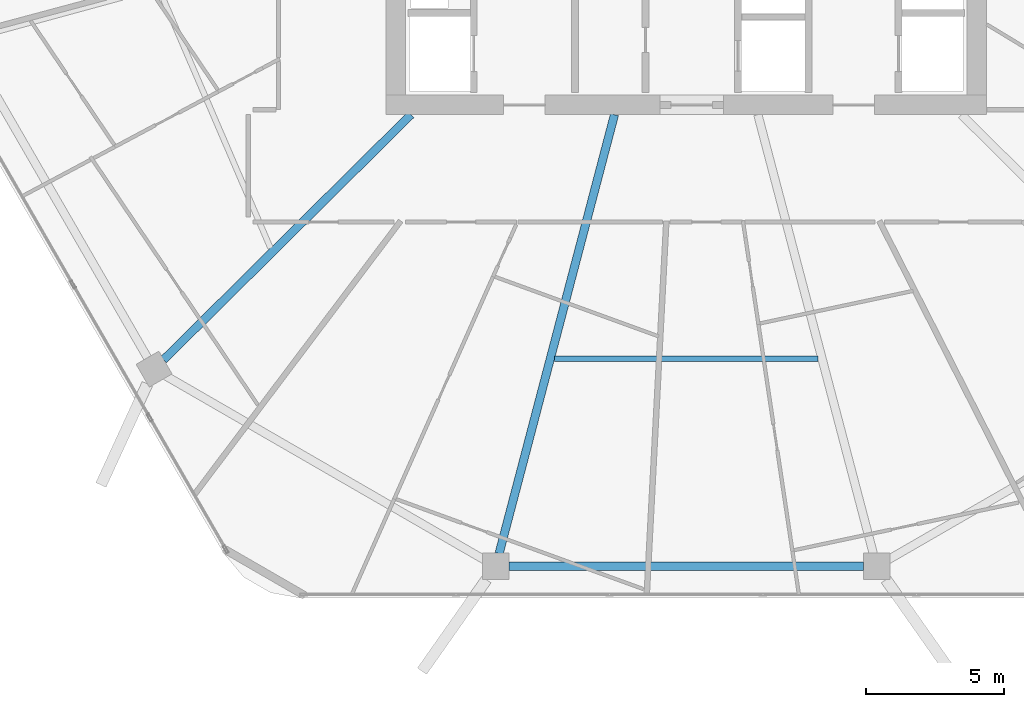
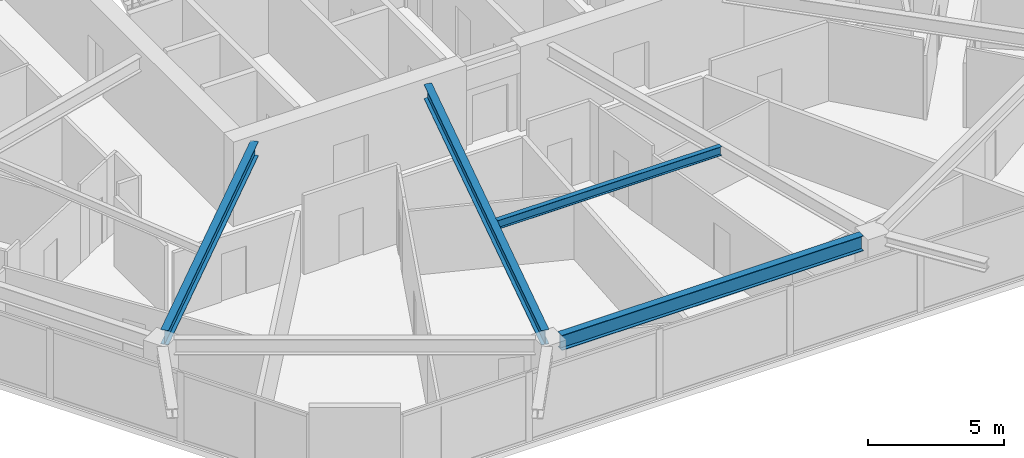
# One storey, part 4 of 27: 4 beams.
"""IFC4 building model written with IfcOpenShell, lengths in metres."""

from ifc_helpers import new_model, si_unit, direction, frame, origin, origin_2d, place, context, subcontext, project, spatial, i_section, extrude, material, material_profile, profile_set, type_object, element, save


model = new_model("IFC4")

# Units and contexts
model_context = context("Model", 3, precision=1e-05, world=origin(), true_north=direction((0.0, 1.0)))
body_context = subcontext(model_context, "Body", "Model", "MODEL_VIEW")
ifc_project = project(units=[si_unit("LENGTHUNIT", "METRE"), si_unit("AREAUNIT", "SQUARE_METRE"), si_unit("VOLUMEUNIT", "CUBIC_METRE"), si_unit("PLANEANGLEUNIT", "RADIAN"), si_unit("MASSUNIT", "GRAM", prefix="KILO")], contexts=[model_context])

# Site, building, storey
site_placement = place(None, origin())
site = spatial("IfcSite", under=ifc_project, at=site_placement, CompositionType="ELEMENT")
building_placement = place(site_placement, origin())
building = spatial("IfcBuilding", under=site, at=building_placement, Name="Zuhravey Tower", CompositionType="ELEMENT")
storey_placement = place(building_placement, frame((0.0, 0.0, 188.39990234375)))
storey = spatial("IfcBuildingStorey", under=building, at=storey_placement, Name="L47", CompositionType="ELEMENT", Elevation=188.39990234375)

# Beams
ifc_material = material(Name="Steel SM355", Category="steel")
ifc_material_profile_1 = material_profile(ifc_material, i_section(OverallWidth=0.300048828125, OverallDepth=0.679931640625, WebThickness=0.012939453125, FlangeThickness=0.02197265625, at=origin_2d()), Name="H-680x300x13x22")
ifc_profile_set_1 = profile_set([ifc_material_profile_1], Name="Steel SM355")
beam_type_1 = type_object("IfcBeamType", Name="Perimeter Ring Beam H680x300", PredefinedType="BEAM", material=ifc_profile_set_1)
beam_1_placement = place(storey_placement, frame((29.595947265625, 5.826904296875, 3.210205078125), z_axis=(1.0, 0.0, 0.0), x_axis=(0.0, 1.0, 0.0)))
element("IfcBeam", 1, at=beam_1_placement, inside=storey, type_object=beam_type_1, Name="L47 PB2 BM-L47-PB-09", PredefinedType="BEAM", context=body_context, shape_type="SweptSolid", body=[
    extrude(i_section(OverallWidth=0.300048828125, OverallDepth=0.679931640625, WebThickness=0.012939453125, FlangeThickness=0.02197265625, at=origin_2d()), origin(), (0.0, 0.0, 1.0), 12.80810546875),
])
ifc_material_profile_2 = material_profile(ifc_material, i_section(OverallWidth=0.300048828125, OverallDepth=0.64990234375, WebThickness=0.012939453125, FlangeThickness=0.02197265625, at=origin_2d()), Name="H-650x300x13x22")
ifc_profile_set_2 = profile_set([ifc_material_profile_2], Name="Steel SM355")
beam_type_2 = type_object("IfcBeamType", Name="Radial Primary Girder H650x300", PredefinedType="BEAM", material=ifc_profile_set_2)
beam_2_placement = place(storey_placement, frame((26.054443359375, 22.14697265625, 3.22509765625), z_axis=(-0.710406645816, -0.703791444663, 0.0), x_axis=(0.703791444663, -0.710406645816, 0.0)))
element("IfcBeam", 2, at=beam_2_placement, inside=storey, type_object=beam_type_2, Name="L47 RG2 BM-L47-RAD-08", PredefinedType="BEAM", context=body_context, shape_type="SweptSolid", body=[
    extrude(i_section(OverallWidth=0.300048828125, OverallDepth=0.64990234375, WebThickness=0.012939453125, FlangeThickness=0.02197265625, at=origin_2d()), origin(), (0.0, 0.0, 1.0), 12.5849609375),
])
beam_3_placement = place(storey_placement, frame((33.4091796875, 22.14697265625, 3.22509765625), z_axis=(-0.254299806285, -0.967125435775, 0.0), x_axis=(0.967125435775, -0.254299806285, 0.0)))
element("IfcBeam", 3, at=beam_3_placement, inside=storey, type_object=beam_type_2, Name="L47 RG2 BM-L47-RAD-09", PredefinedType="BEAM", context=body_context, shape_type="SweptSolid", body=[
    extrude(i_section(OverallWidth=0.300048828125, OverallDepth=0.64990234375, WebThickness=0.012939453125, FlangeThickness=0.02197265625, at=origin_2d()), origin(), (0.0, 0.0, 1.0), 16.396728515625),
])
ifc_material_profile_3 = material_profile(ifc_material, i_section(OverallWidth=0.199951171875, OverallDepth=0.39990234375, WebThickness=0.008056640625, FlangeThickness=0.012939453125, at=origin_2d()), Name="H-400x200x8x13")
ifc_profile_set_3 = profile_set([ifc_material_profile_3], Name="Steel SM355")
beam_type_3 = type_object("IfcBeamType", Name="Secondary Floor Joist H400x200", PredefinedType="JOIST", material=ifc_profile_set_3)
beam_4_placement = place(storey_placement, frame((31.245849609375, 13.334228515625, 3.35009765625), z_axis=(1.0, 0.0, 0.0), x_axis=(0.0, 1.0, 0.0)))
element("IfcBeam", 4, at=beam_4_placement, inside=storey, type_object=beam_type_3, Name="L47 SJ2 BM-L47-SJ-09-1", PredefinedType="JOIST", context=body_context, shape_type="SweptSolid", body=[
    extrude(i_section(OverallWidth=0.199951171875, OverallDepth=0.39990234375, WebThickness=0.008056640625, FlangeThickness=0.012939453125, at=origin_2d()), origin(), (0.0, 0.0, 1.0), 9.50830078125),
])

save(model, "model.ifc")
